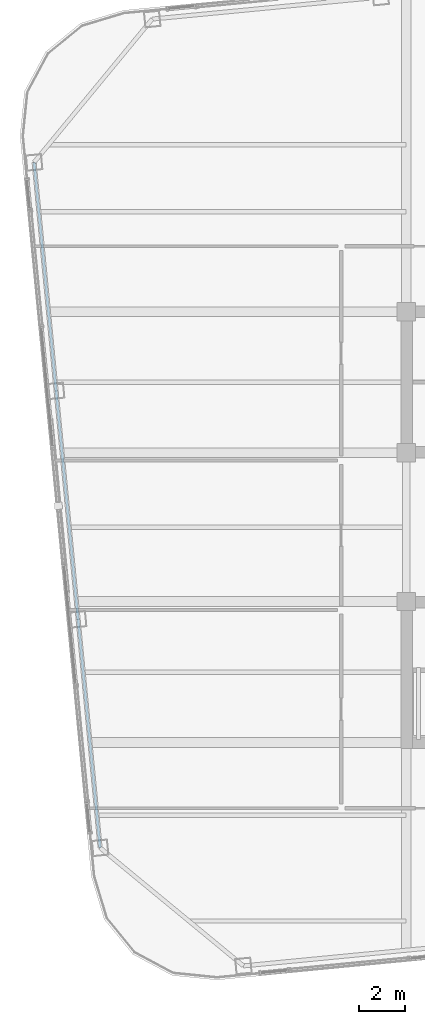
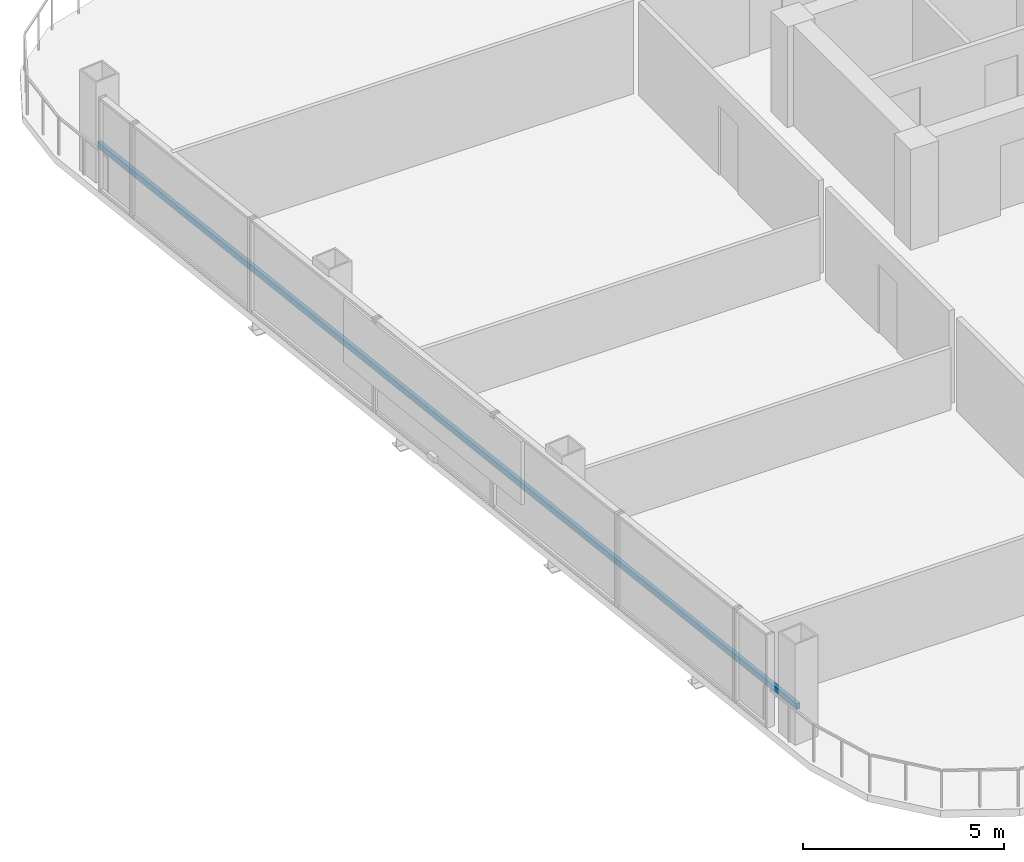
# One storey, part 9 of 29: 1 member.
"""IFC4 building model written with IfcOpenShell, lengths in metres."""

import ifcopenshell
import ifcopenshell.guid

model = None  # the IFC model being written
_history = None  # IfcOwnerHistory: only IFC2X3 demands one
_inside = {}  # id of a spatial element -> (the spatial element, [elements in it])
_under = {}  # id of a project, library or spatial element -> (it, [spatial elements below it])
_declared = {}  # id of a project -> (the project, [libraries it declares])
_typed = {}  # id of a type object -> (the type object, [elements of that type])
_made_of = {}  # id of a material, layer set ... -> (it, [elements and type objects made of it])


def new_model(schema):
    """Start an empty IFC model of exactly this schema.

    Asked for "IFC4X3", IfcOpenShell would pick the latest addendum, in which some entities
    have other attributes; the version numbers below select the first issue.
    IFC2X3 requires an IfcOwnerHistory on every rooted entity: one is made here for all.
    """
    global model, _history
    if schema == "IFC4X3":
        model = ifcopenshell.file(schema_version=(4, 3, 0, 0))
    else:
        model = ifcopenshell.file(schema=schema)
    _inside.clear()
    _under.clear()
    _declared.clear()
    _typed.clear()
    _made_of.clear()
    _history = None
    if model.schema == "IFC2X3":
        org = make("IfcOrganization", Name="unknown")
        user = make(
            "IfcPersonAndOrganization",
            ThePerson=make("IfcPerson", FamilyName="unknown"),
            TheOrganization=org,
        )
        app = make(
            "IfcApplication",
            ApplicationDeveloper=org,
            Version="unknown",
            ApplicationFullName="unknown",
            ApplicationIdentifier="unknown",
        )
        _history = make(
            "IfcOwnerHistory",
            OwningUser=user,
            OwningApplication=app,
            ChangeAction="ADDED",
            CreationDate=0,
        )
    return model


def make(cls, **values):
    """One entity of the class cls with the attributes given. An attribute that is None is left unset."""
    return model.create_entity(
        cls, **{name: value for name, value in values.items() if value is not None}
    )


def rooted(cls, **values):
    """An entity with a GlobalId (a new one), such as an element, a storey or a relation."""
    return make(cls, GlobalId=ifcopenshell.guid.new(), OwnerHistory=_history, **values)


def si_unit(unit_type, name, prefix=None):
    """IfcSIUnit, for example si_unit("LENGTHUNIT", "METRE", prefix="MILLI")."""
    return make("IfcSIUnit", UnitType=unit_type, Prefix=prefix, Name=name)


def assignment(units):
    """IfcUnitAssignment: the units of a project."""
    return None if units is None else make("IfcUnitAssignment", Units=units)


def point(xyz):
    """IfcCartesianPoint."""
    return None if xyz is None else make("IfcCartesianPoint", Coordinates=xyz)


def direction(xyz):
    """IfcDirection."""
    return None if xyz is None else make("IfcDirection", DirectionRatios=xyz)


def frame(location, z_axis=None, x_axis=None):
    """IfcAxis2Placement3D, a coordinate frame: its origin and axes. An axis left out is left unset."""
    return make(
        "IfcAxis2Placement3D",
        Location=point(location),
        Axis=direction(z_axis),
        RefDirection=direction(x_axis),
    )


def frame_2d(location, x_axis=None):
    """IfcAxis2Placement2D, a coordinate frame in the plane: its origin and x axis."""
    return make(
        "IfcAxis2Placement2D", Location=point(location), RefDirection=direction(x_axis)
    )


def origin():
    """The frame at (0, 0, 0) with its axes left unset."""
    return frame((0.0, 0.0, 0.0))


def origin_2d():
    """The frame at (0, 0) in the plane with its x axis left unset."""
    return frame_2d((0.0, 0.0))


def place(relative_to, where):
    """IfcLocalPlacement: puts the frame where relative to a parent placement (None: the world)."""
    return make(
        "IfcLocalPlacement", PlacementRelTo=relative_to, RelativePlacement=where
    )


def context(
    kind, dimensions, precision=None, world=None, true_north=None, identifier=None
):
    """IfcGeometricRepresentationContext, for example the 3D "Model" context."""
    return make(
        "IfcGeometricRepresentationContext",
        ContextIdentifier=identifier,
        ContextType=kind,
        CoordinateSpaceDimension=dimensions,
        Precision=precision,
        WorldCoordinateSystem=world,
        TrueNorth=true_north,
    )


def subcontext(parent, identifier, kind, view, scale=None):
    """IfcGeometricRepresentationSubContext, for example "Body" below "Model"."""
    return make(
        "IfcGeometricRepresentationSubContext",
        ContextIdentifier=identifier,
        ContextType=kind,
        ParentContext=parent,
        TargetScale=scale,
        TargetView=view,
    )


def project(units=None, contexts=None):
    """IfcProject with its units and contexts."""
    return rooted(
        "IfcProject",
        Name="project",
        RepresentationContexts=contexts,
        UnitsInContext=assignment(units),
    )


def spatial(cls, under=None, at=None, **own):
    """A site, building, storey or space (cls), placed at a placement, below another one or the project."""
    s = rooted(cls, ObjectPlacement=at, **own)
    if under is not None:
        _under.setdefault(under.id(), (under, []))[1].append(s)
    return s


def profile(cls, at=None, kind="AREA", **sizes):
    """A parametric profile (cls). Its sizes go by their IFC names, for example OverallWidth=200.0."""
    return make(cls, ProfileType=kind, Position=at, **sizes)


def hollow_rectangle(**sizes):
    """IfcRectangleHollowProfileDef."""
    return profile("IfcRectangleHollowProfileDef", **sizes)


def extrude(swept, where, along, depth):
    """IfcExtrudedAreaSolid: the profile swept, set in the frame where, extruded along a direction by depth."""
    return make(
        "IfcExtrudedAreaSolid",
        SweptArea=swept,
        Position=where,
        ExtrudedDirection=direction(along),
        Depth=depth,
    )


def shape(context_of_items, identifier, shape_type, items):
    """IfcShapeRepresentation: the items that make up one representation, for example the "Body"."""
    return make(
        "IfcShapeRepresentation",
        ContextOfItems=context_of_items,
        RepresentationIdentifier=identifier,
        RepresentationType=shape_type,
        Items=items,
    )


def material(Name=None, Category=None):
    """IfcMaterial."""
    return make("IfcMaterial", Name=Name, Category=Category)


def material_profile(
    of_material, cross_section, Name=None, Category=None, Priority=None
):
    """IfcMaterialProfile: a cross section and its material."""
    return make(
        "IfcMaterialProfile",
        Name=Name,
        Material=of_material,
        Profile=cross_section,
        Priority=Priority,
        Category=Category,
    )


def profile_set(profiles, Name=None, composite=None):
    """IfcMaterialProfileSet."""
    return make(
        "IfcMaterialProfileSet",
        Name=Name,
        MaterialProfiles=profiles,
        CompositeProfile=composite,
    )


def made_of(thing, what):
    """Note that an element or type object is made of a material, layer set ...; save() writes the relation."""
    if what is not None:
        _made_of.setdefault(what.id(), (what, []))[1].append(thing)
    return thing


def type_object(cls, material=None, **own):
    """A type object (cls), such as IfcWallType, which elements share."""
    return made_of(rooted(cls, **own), material)


def element(
    cls,
    number,
    at=None,
    inside=None,
    cuts=None,
    type_object=None,
    material=None,
    context=None,
    identifier="Body",
    shape_type=None,
    held_by="IfcProductDefinitionShape",
    body=None,
    shapes=None,
    **own,
):
    """One element of the class cls, such as IfcWall. Its Tag is "e" and its number.

    at: its placement. inside: the storey or other place that contains it. cuts: it is an
    opening in that element (IfcRelVoidsElement). A single representation is given by context,
    identifier, shape_type and body (its items); several are given by shapes. held_by: the class
    of the entity that holds the representations. save() writes the other relations.
    """
    e = rooted(cls, Tag="e%d" % number, ObjectPlacement=at, **own)
    if body is not None:
        shapes = [shape(context, identifier, shape_type, body)]
    if shapes is not None:
        e.Representation = make(held_by, Representations=shapes)
    if inside is not None:
        _inside.setdefault(inside.id(), (inside, []))[1].append(e)
    if cuts is not None:
        rooted(
            "IfcRelVoidsElement", RelatingBuildingElement=cuts, RelatedOpeningElement=e
        )
    if type_object is not None:
        _typed.setdefault(type_object.id(), (type_object, []))[1].append(e)
    return made_of(e, material)


def aggregate(whole, parts):
    """IfcRelAggregates: a whole, such as a stair, and the parts it consists of."""
    return rooted("IfcRelAggregates", RelatingObject=whole, RelatedObjects=parts)


def save(model, path):
    """Write the relations noted so far, then the file.

    IfcRelAggregates (storeys below a building ...), IfcRelContainedInSpatialStructure (elements
    in a storey), IfcRelDefinesByType, IfcRelAssociatesMaterial and IfcRelDeclares: one each for
    every whole, place, type object, material and project.
    """
    for whole, parts in _under.values():
        aggregate(whole, parts)
    for where, things in _inside.values():
        rooted(
            "IfcRelContainedInSpatialStructure",
            RelatedElements=things,
            RelatingStructure=where,
        )
    for kind, things in _typed.values():
        rooted("IfcRelDefinesByType", RelatedObjects=things, RelatingType=kind)
    for what, things in _made_of.values():
        rooted("IfcRelAssociatesMaterial", RelatedObjects=things, RelatingMaterial=what)
    for by, libraries in _declared.values():
        rooted("IfcRelDeclares", RelatingContext=by, RelatedDefinitions=libraries)
    model.write(path)


model = new_model("IFC4")

# Units and contexts
model_context = context("Model", 3, precision=1e-05, world=origin(), true_north=direction((0.0, 1.0)))
body_context = subcontext(model_context, "Body", "Model", "MODEL_VIEW")
ifc_project = project(units=[si_unit("LENGTHUNIT", "METRE"), si_unit("AREAUNIT", "SQUARE_METRE"), si_unit("VOLUMEUNIT", "CUBIC_METRE"), si_unit("PLANEANGLEUNIT", "RADIAN"), si_unit("MASSUNIT", "GRAM", prefix="KILO")], contexts=[model_context])

# Site, building, storey
site_placement = place(None, origin())
site = spatial("IfcSite", under=ifc_project, at=site_placement, CompositionType="ELEMENT")
building_placement = place(site_placement, origin())
building = spatial("IfcBuilding", under=site, at=building_placement, Name="Qhalaya Broadcast Tower", CompositionType="ELEMENT")
storey_placement = place(building_placement, frame((0.0, 0.0, 177.5)))
storey = spatial("IfcBuildingStorey", under=building, at=storey_placement, Name="L52", CompositionType="ELEMENT", Elevation=177.5)

# Member
ifc_material = material(Name="Fired Architectural Terracotta", Category="masonry")
ifc_material_profile = material_profile(ifc_material, hollow_rectangle(XDim=0.110107421875, YDim=0.179931640625, WallThickness=0.01806640625, at=origin_2d()), Name="TB-BAG 110x180x18")
ifc_profile_set = profile_set([ifc_material_profile], Name="Fired Architectural Terracotta")
member_type = type_object("IfcMemberType", Name="Fired Terracotta Facade Baguette Member TB1", PredefinedType="USERDEFINED", material=ifc_profile_set)
member_placement = place(storey_placement, frame((-25.52783203125, 16.44189453125, 0.84912109375), z_axis=(0.095844031643, -0.995396364067, 0.0), x_axis=(0.995396364067, 0.095844031643, 0.0)))
element("IfcMember", 1, at=member_placement, inside=storey, type_object=member_type, Name="L52 Terracotta Baguette Feature Rail W", ObjectType="BAGUETTE", PredefinedType="USERDEFINED", context=body_context, shape_type="SweptSolid", body=[
    extrude(hollow_rectangle(XDim=0.110107421875, YDim=0.179931640625, WallThickness=0.01806640625, at=origin_2d()), origin(), (0.0, 0.0, 1.0), 29.89990234375),
])

save(model, "model.ifc")
